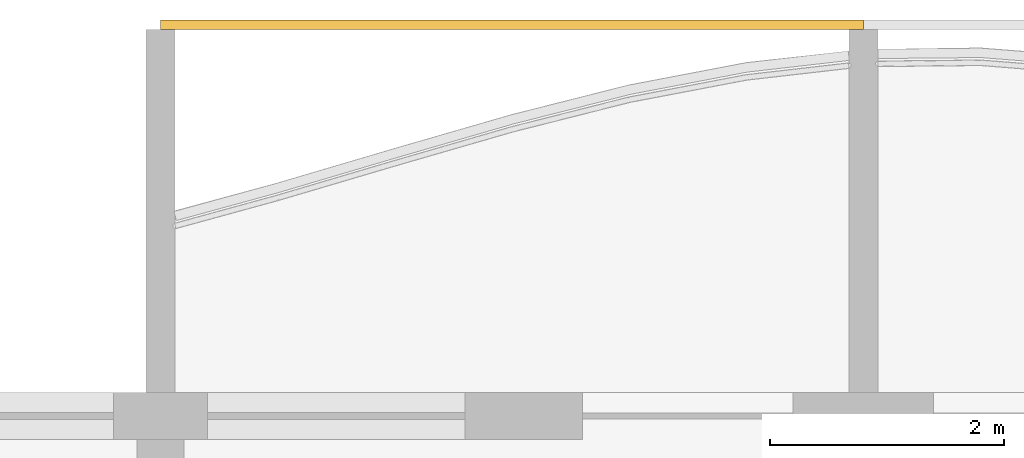
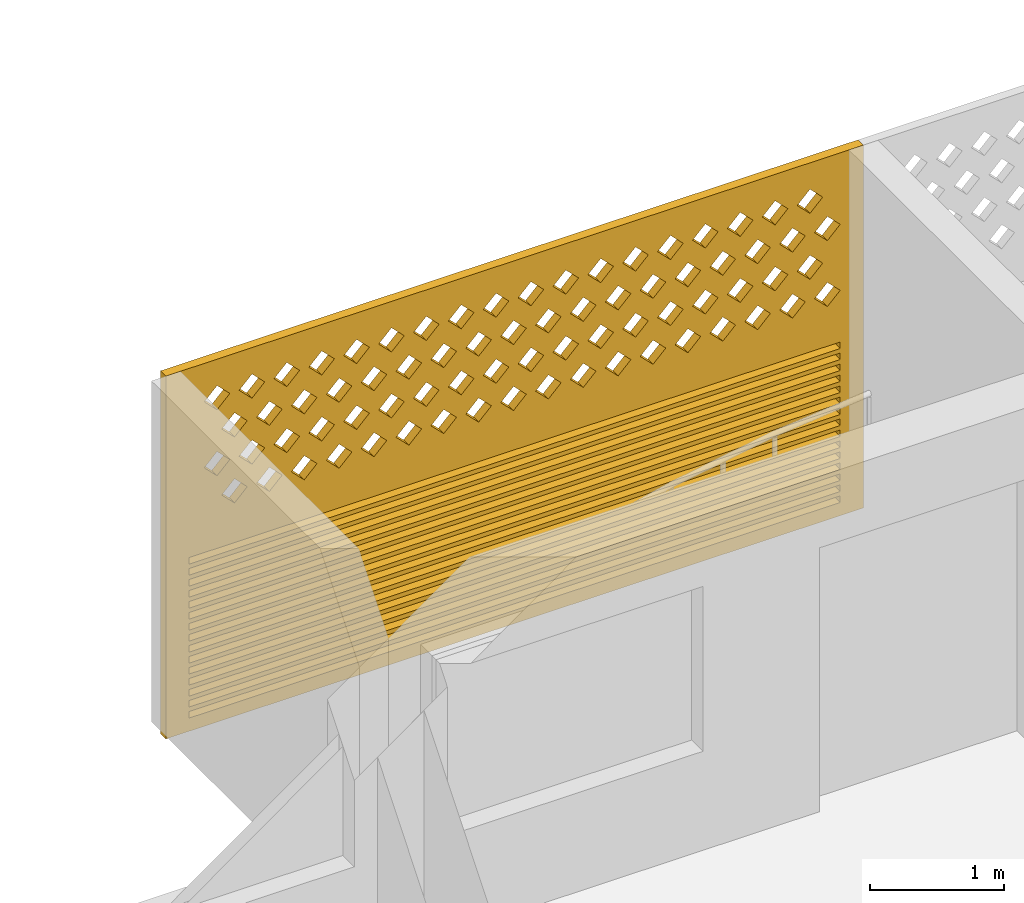
# One storey, part 30 of 39: 1 covering.
"""IFC4 building model written with IfcOpenShell, lengths in metres."""

from ifc_helpers import new_model, si_unit, direction, frame, origin, place, context, subcontext, project, spatial, polyline, outline, extrude, source, transform, mapped, material, material_profile, profile_set, type_object, element, save


model = new_model("IFC4")

# Units and contexts
model_context = context("Model", 3, precision=1e-05, world=origin(), true_north=direction((0.0, 1.0)))
body_context = subcontext(model_context, "Body", "Model", "MODEL_VIEW")
ifc_project = project(units=[si_unit("LENGTHUNIT", "METRE"), si_unit("AREAUNIT", "SQUARE_METRE"), si_unit("VOLUMEUNIT", "CUBIC_METRE"), si_unit("PLANEANGLEUNIT", "RADIAN"), si_unit("MASSUNIT", "GRAM", prefix="KILO")], contexts=[model_context])

# Site, building, storey
site_placement = place(None, origin())
site = spatial("IfcSite", under=ifc_project, at=site_placement, CompositionType="ELEMENT")
building_placement = place(site_placement, origin())
building = spatial("IfcBuilding", under=site, at=building_placement, Name="Poui Terraces", CompositionType="ELEMENT")
storey_placement = place(building_placement, frame((0.0, 0.0, 59.699951171875)))
storey = spatial("IfcBuildingStorey", under=building, at=storey_placement, Name="L16", CompositionType="ELEMENT", Elevation=59.699951171875)

# Covering
ifc_material = material(Name="Terracotta screen", Category="masonry")
ifc_material_profile = material_profile(ifc_material, outline(polyline([(-3.0, -1.64990234375), (3.0, -1.64990234375), (3.0, 1.64990234375), (-3.0, 1.64990234375), (-3.0, -1.64990234375)]), holes=[polyline([(-2.800048828125, 0.39990234375), (-2.68994140625, 0.2900390625), (-2.580078125, 0.39990234375), (-2.68994140625, 0.510009765625), (-2.800048828125, 0.39990234375)]), polyline([(-2.5, 0.39990234375), (-2.389892578125, 0.2900390625), (-2.280029296875, 0.39990234375), (-2.389892578125, 0.510009765625), (-2.5, 0.39990234375)]), polyline([(-2.199951171875, 0.39990234375), (-2.090087890625, 0.2900390625), (-1.97998046875, 0.39990234375), (-2.090087890625, 0.510009765625), (-2.199951171875, 0.39990234375)]), polyline([(-1.89990234375, 0.39990234375), (-1.7900390625, 0.2900390625), (-1.679931640625, 0.39990234375), (-1.7900390625, 0.510009765625), (-1.89990234375, 0.39990234375)]), polyline([(-1.60009765625, 0.39990234375), (-1.489990234375, 0.2900390625), (-1.3798828125, 0.39990234375), (-1.489990234375, 0.510009765625), (-1.60009765625, 0.39990234375)]), polyline([(-1.300048828125, 0.39990234375), (-1.18994140625, 0.2900390625), (-1.080078125, 0.39990234375), (-1.18994140625, 0.510009765625), (-1.300048828125, 0.39990234375)]), polyline([(-1.0, 0.39990234375), (-0.889892578125, 0.2900390625), (-0.780029296875, 0.39990234375), (-0.889892578125, 0.510009765625), (-1.0, 0.39990234375)]), polyline([(-0.699951171875, 0.39990234375), (-0.590087890625, 0.2900390625), (-0.47998046875, 0.39990234375), (-0.590087890625, 0.510009765625), (-0.699951171875, 0.39990234375)]), polyline([(-0.39990234375, 0.39990234375), (-0.2900390625, 0.2900390625), (-0.179931640625, 0.39990234375), (-0.2900390625, 0.510009765625), (-0.39990234375, 0.39990234375)]), polyline([(-0.10009765625, 0.39990234375), (0.010009765625, 0.2900390625), (0.1201171875, 0.39990234375), (0.010009765625, 0.510009765625), (-0.10009765625, 0.39990234375)]), polyline([(0.199951171875, 0.39990234375), (0.31005859375, 0.2900390625), (0.419921875, 0.39990234375), (0.31005859375, 0.510009765625), (0.199951171875, 0.39990234375)]), polyline([(0.5, 0.39990234375), (0.610107421875, 0.2900390625), (0.719970703125, 0.39990234375), (0.610107421875, 0.510009765625), (0.5, 0.39990234375)]), polyline([(0.800048828125, 0.39990234375), (0.909912109375, 0.2900390625), (1.02001953125, 0.39990234375), (0.909912109375, 0.510009765625), (0.800048828125, 0.39990234375)]), polyline([(1.10009765625, 0.39990234375), (1.2099609375, 0.2900390625), (1.320068359375, 0.39990234375), (1.2099609375, 0.510009765625), (1.10009765625, 0.39990234375)]), polyline([(1.39990234375, 0.39990234375), (1.510009765625, 0.2900390625), (1.6201171875, 0.39990234375), (1.510009765625, 0.510009765625), (1.39990234375, 0.39990234375)]), polyline([(1.699951171875, 0.39990234375), (1.81005859375, 0.2900390625), (1.919921875, 0.39990234375), (1.81005859375, 0.510009765625), (1.699951171875, 0.39990234375)]), polyline([(2.0, 0.39990234375), (2.110107421875, 0.2900390625), (2.219970703125, 0.39990234375), (2.110107421875, 0.510009765625), (2.0, 0.39990234375)]), polyline([(2.300048828125, 0.39990234375), (2.409912109375, 0.2900390625), (2.52001953125, 0.39990234375), (2.409912109375, 0.510009765625), (2.300048828125, 0.39990234375)]), polyline([(-2.64990234375, 0.699951171875), (-2.5400390625, 0.590087890625), (-2.429931640625, 0.699951171875), (-2.5400390625, 0.81005859375), (-2.64990234375, 0.699951171875)]), polyline([(-2.35009765625, 0.699951171875), (-2.239990234375, 0.590087890625), (-2.1298828125, 0.699951171875), (-2.239990234375, 0.81005859375), (-2.35009765625, 0.699951171875)]), polyline([(-2.050048828125, 0.699951171875), (-1.93994140625, 0.590087890625), (-1.830078125, 0.699951171875), (-1.93994140625, 0.81005859375), (-2.050048828125, 0.699951171875)]), polyline([(-1.75, 0.699951171875), (-1.639892578125, 0.590087890625), (-1.530029296875, 0.699951171875), (-1.639892578125, 0.81005859375), (-1.75, 0.699951171875)]), polyline([(-1.449951171875, 0.699951171875), (-1.340087890625, 0.590087890625), (-1.22998046875, 0.699951171875), (-1.340087890625, 0.81005859375), (-1.449951171875, 0.699951171875)]), polyline([(-1.14990234375, 0.699951171875), (-1.0400390625, 0.590087890625), (-0.929931640625, 0.699951171875), (-1.0400390625, 0.81005859375), (-1.14990234375, 0.699951171875)]), polyline([(-0.85009765625, 0.699951171875), (-0.739990234375, 0.590087890625), (-0.6298828125, 0.699951171875), (-0.739990234375, 0.81005859375), (-0.85009765625, 0.699951171875)]), polyline([(-0.550048828125, 0.699951171875), (-0.43994140625, 0.590087890625), (-0.330078125, 0.699951171875), (-0.43994140625, 0.81005859375), (-0.550048828125, 0.699951171875)]), polyline([(-0.25, 0.699951171875), (-0.139892578125, 0.590087890625), (-0.030029296875, 0.699951171875), (-0.139892578125, 0.81005859375), (-0.25, 0.699951171875)]), polyline([(0.050048828125, 0.699951171875), (0.159912109375, 0.590087890625), (0.27001953125, 0.699951171875), (0.159912109375, 0.81005859375), (0.050048828125, 0.699951171875)]), polyline([(0.35009765625, 0.699951171875), (0.4599609375, 0.590087890625), (0.570068359375, 0.699951171875), (0.4599609375, 0.81005859375), (0.35009765625, 0.699951171875)]), polyline([(0.64990234375, 0.699951171875), (0.760009765625, 0.590087890625), (0.8701171875, 0.699951171875), (0.760009765625, 0.81005859375), (0.64990234375, 0.699951171875)]), polyline([(0.949951171875, 0.699951171875), (1.06005859375, 0.590087890625), (1.169921875, 0.699951171875), (1.06005859375, 0.81005859375), (0.949951171875, 0.699951171875)]), polyline([(1.25, 0.699951171875), (1.360107421875, 0.590087890625), (1.469970703125, 0.699951171875), (1.360107421875, 0.81005859375), (1.25, 0.699951171875)]), polyline([(1.550048828125, 0.699951171875), (1.659912109375, 0.590087890625), (1.77001953125, 0.699951171875), (1.659912109375, 0.81005859375), (1.550048828125, 0.699951171875)]), polyline([(1.85009765625, 0.699951171875), (1.9599609375, 0.590087890625), (2.070068359375, 0.699951171875), (1.9599609375, 0.81005859375), (1.85009765625, 0.699951171875)]), polyline([(2.14990234375, 0.699951171875), (2.260009765625, 0.590087890625), (2.3701171875, 0.699951171875), (2.260009765625, 0.81005859375), (2.14990234375, 0.699951171875)]), polyline([(2.449951171875, 0.699951171875), (2.56005859375, 0.590087890625), (2.669921875, 0.699951171875), (2.56005859375, 0.81005859375), (2.449951171875, 0.699951171875)]), polyline([(-2.800048828125, 1.0), (-2.68994140625, 0.889892578125), (-2.580078125, 1.0), (-2.68994140625, 1.110107421875), (-2.800048828125, 1.0)]), polyline([(-2.5, 1.0), (-2.389892578125, 0.889892578125), (-2.280029296875, 1.0), (-2.389892578125, 1.110107421875), (-2.5, 1.0)]), polyline([(-2.199951171875, 1.0), (-2.090087890625, 0.889892578125), (-1.97998046875, 1.0), (-2.090087890625, 1.110107421875), (-2.199951171875, 1.0)]), polyline([(-1.89990234375, 1.0), (-1.7900390625, 0.889892578125), (-1.679931640625, 1.0), (-1.7900390625, 1.110107421875), (-1.89990234375, 1.0)]), polyline([(-1.60009765625, 1.0), (-1.489990234375, 0.889892578125), (-1.3798828125, 1.0), (-1.489990234375, 1.110107421875), (-1.60009765625, 1.0)]), polyline([(-1.300048828125, 1.0), (-1.18994140625, 0.889892578125), (-1.080078125, 1.0), (-1.18994140625, 1.110107421875), (-1.300048828125, 1.0)]), polyline([(-1.0, 1.0), (-0.889892578125, 0.889892578125), (-0.780029296875, 1.0), (-0.889892578125, 1.110107421875), (-1.0, 1.0)]), polyline([(-0.699951171875, 1.0), (-0.590087890625, 0.889892578125), (-0.47998046875, 1.0), (-0.590087890625, 1.110107421875), (-0.699951171875, 1.0)]), polyline([(-0.39990234375, 1.0), (-0.2900390625, 0.889892578125), (-0.179931640625, 1.0), (-0.2900390625, 1.110107421875), (-0.39990234375, 1.0)]), polyline([(-0.10009765625, 1.0), (0.010009765625, 0.889892578125), (0.1201171875, 1.0), (0.010009765625, 1.110107421875), (-0.10009765625, 1.0)]), polyline([(0.199951171875, 1.0), (0.31005859375, 0.889892578125), (0.419921875, 1.0), (0.31005859375, 1.110107421875), (0.199951171875, 1.0)]), polyline([(0.5, 1.0), (0.610107421875, 0.889892578125), (0.719970703125, 1.0), (0.610107421875, 1.110107421875), (0.5, 1.0)]), polyline([(0.800048828125, 1.0), (0.909912109375, 0.889892578125), (1.02001953125, 1.0), (0.909912109375, 1.110107421875), (0.800048828125, 1.0)]), polyline([(1.10009765625, 1.0), (1.2099609375, 0.889892578125), (1.320068359375, 1.0), (1.2099609375, 1.110107421875), (1.10009765625, 1.0)]), polyline([(1.39990234375, 1.0), (1.510009765625, 0.889892578125), (1.6201171875, 1.0), (1.510009765625, 1.110107421875), (1.39990234375, 1.0)]), polyline([(1.699951171875, 1.0), (1.81005859375, 0.889892578125), (1.919921875, 1.0), (1.81005859375, 1.110107421875), (1.699951171875, 1.0)]), polyline([(2.0, 1.0), (2.110107421875, 0.889892578125), (2.219970703125, 1.0), (2.110107421875, 1.110107421875), (2.0, 1.0)]), polyline([(2.300048828125, 1.0), (2.409912109375, 0.889892578125), (2.52001953125, 1.0), (2.409912109375, 1.110107421875), (2.300048828125, 1.0)]), polyline([(-2.64990234375, 1.300048828125), (-2.5400390625, 1.18994140625), (-2.429931640625, 1.300048828125), (-2.5400390625, 1.409912109375), (-2.64990234375, 1.300048828125)]), polyline([(-2.35009765625, 1.300048828125), (-2.239990234375, 1.18994140625), (-2.1298828125, 1.300048828125), (-2.239990234375, 1.409912109375), (-2.35009765625, 1.300048828125)]), polyline([(-2.050048828125, 1.300048828125), (-1.93994140625, 1.18994140625), (-1.830078125, 1.300048828125), (-1.93994140625, 1.409912109375), (-2.050048828125, 1.300048828125)]), polyline([(-1.75, 1.300048828125), (-1.639892578125, 1.18994140625), (-1.530029296875, 1.300048828125), (-1.639892578125, 1.409912109375), (-1.75, 1.300048828125)]), polyline([(-1.449951171875, 1.300048828125), (-1.340087890625, 1.18994140625), (-1.22998046875, 1.300048828125), (-1.340087890625, 1.409912109375), (-1.449951171875, 1.300048828125)]), polyline([(-1.14990234375, 1.300048828125), (-1.0400390625, 1.18994140625), (-0.929931640625, 1.300048828125), (-1.0400390625, 1.409912109375), (-1.14990234375, 1.300048828125)]), polyline([(-0.85009765625, 1.300048828125), (-0.739990234375, 1.18994140625), (-0.6298828125, 1.300048828125), (-0.739990234375, 1.409912109375), (-0.85009765625, 1.300048828125)]), polyline([(-0.550048828125, 1.300048828125), (-0.43994140625, 1.18994140625), (-0.330078125, 1.300048828125), (-0.43994140625, 1.409912109375), (-0.550048828125, 1.300048828125)]), polyline([(-0.25, 1.300048828125), (-0.139892578125, 1.18994140625), (-0.030029296875, 1.300048828125), (-0.139892578125, 1.409912109375), (-0.25, 1.300048828125)]), polyline([(0.050048828125, 1.300048828125), (0.159912109375, 1.18994140625), (0.27001953125, 1.300048828125), (0.159912109375, 1.409912109375), (0.050048828125, 1.300048828125)]), polyline([(0.35009765625, 1.300048828125), (0.4599609375, 1.18994140625), (0.570068359375, 1.300048828125), (0.4599609375, 1.409912109375), (0.35009765625, 1.300048828125)]), polyline([(0.64990234375, 1.300048828125), (0.760009765625, 1.18994140625), (0.8701171875, 1.300048828125), (0.760009765625, 1.409912109375), (0.64990234375, 1.300048828125)]), polyline([(0.949951171875, 1.300048828125), (1.06005859375, 1.18994140625), (1.169921875, 1.300048828125), (1.06005859375, 1.409912109375), (0.949951171875, 1.300048828125)]), polyline([(1.25, 1.300048828125), (1.360107421875, 1.18994140625), (1.469970703125, 1.300048828125), (1.360107421875, 1.409912109375), (1.25, 1.300048828125)]), polyline([(1.550048828125, 1.300048828125), (1.659912109375, 1.18994140625), (1.77001953125, 1.300048828125), (1.659912109375, 1.409912109375), (1.550048828125, 1.300048828125)]), polyline([(1.85009765625, 1.300048828125), (1.9599609375, 1.18994140625), (2.070068359375, 1.300048828125), (1.9599609375, 1.409912109375), (1.85009765625, 1.300048828125)]), polyline([(2.14990234375, 1.300048828125), (2.260009765625, 1.18994140625), (2.3701171875, 1.300048828125), (2.260009765625, 1.409912109375), (2.14990234375, 1.300048828125)]), polyline([(2.449951171875, 1.300048828125), (2.56005859375, 1.18994140625), (2.669921875, 1.300048828125), (2.56005859375, 1.409912109375), (2.449951171875, 1.300048828125)]), polyline([(-2.800048828125, -1.530029296875), (2.800048828125, -1.530029296875), (2.800048828125, -1.469970703125), (-2.800048828125, -1.469970703125), (-2.800048828125, -1.530029296875)]), polyline([(-2.800048828125, -1.429931640625), (2.800048828125, -1.429931640625), (2.800048828125, -1.3701171875), (-2.800048828125, -1.3701171875), (-2.800048828125, -1.429931640625)]), polyline([(-2.800048828125, -1.330078125), (2.800048828125, -1.330078125), (2.800048828125, -1.27001953125), (-2.800048828125, -1.27001953125), (-2.800048828125, -1.330078125)]), polyline([(-2.800048828125, -1.22998046875), (2.800048828125, -1.22998046875), (2.800048828125, -1.169921875), (-2.800048828125, -1.169921875), (-2.800048828125, -1.22998046875)]), polyline([(-2.800048828125, -1.1298828125), (2.800048828125, -1.1298828125), (2.800048828125, -1.070068359375), (-2.800048828125, -1.070068359375), (-2.800048828125, -1.1298828125)]), polyline([(-2.800048828125, -1.030029296875), (2.800048828125, -1.030029296875), (2.800048828125, -0.969970703125), (-2.800048828125, -0.969970703125), (-2.800048828125, -1.030029296875)]), polyline([(-2.800048828125, -0.929931640625), (2.800048828125, -0.929931640625), (2.800048828125, -0.8701171875), (-2.800048828125, -0.8701171875), (-2.800048828125, -0.929931640625)]), polyline([(-2.800048828125, -0.830078125), (2.800048828125, -0.830078125), (2.800048828125, -0.77001953125), (-2.800048828125, -0.77001953125), (-2.800048828125, -0.830078125)]), polyline([(-2.800048828125, -0.72998046875), (2.800048828125, -0.72998046875), (2.800048828125, -0.669921875), (-2.800048828125, -0.669921875), (-2.800048828125, -0.72998046875)]), polyline([(-2.800048828125, -0.6298828125), (2.800048828125, -0.6298828125), (2.800048828125, -0.570068359375), (-2.800048828125, -0.570068359375), (-2.800048828125, -0.6298828125)]), polyline([(-2.800048828125, -0.530029296875), (2.800048828125, -0.530029296875), (2.800048828125, -0.469970703125), (-2.800048828125, -0.469970703125), (-2.800048828125, -0.530029296875)]), polyline([(-2.800048828125, -0.429931640625), (2.800048828125, -0.429931640625), (2.800048828125, -0.3701171875), (-2.800048828125, -0.3701171875), (-2.800048828125, -0.429931640625)]), polyline([(-2.800048828125, -0.330078125), (2.800048828125, -0.330078125), (2.800048828125, -0.27001953125), (-2.800048828125, -0.27001953125), (-2.800048828125, -0.330078125)]), polyline([(-2.800048828125, -0.22998046875), (2.800048828125, -0.22998046875), (2.800048828125, -0.169921875), (-2.800048828125, -0.169921875), (-2.800048828125, -0.22998046875)]), polyline([(-2.800048828125, -0.1298828125), (2.800048828125, -0.1298828125), (2.800048828125, -0.070068359375), (-2.800048828125, -0.070068359375), (-2.800048828125, -0.1298828125)])]), Name="TERRACOTTA SCREEN AND JALOUSIE LOUVRE 6000X3300")
ifc_profile_set = profile_set([ifc_material_profile], Name="Terracotta screen")
covering_type = type_object("IfcCoveringType", Name="TERRACOTTA SCREEN AND JALOUSIE LOUVRE 6000X3300", PredefinedType="CLADDING", material=ifc_profile_set)
shared_shape = source(origin(), body_context, "Body", "SweptSolid", [
    extrude(outline(polyline([(-3.0, -1.64990234375), (3.0, -1.64990234375), (3.0, 1.64990234375), (-3.0, 1.64990234375), (-3.0, -1.64990234375)]), holes=[polyline([(-2.800048828125, 0.39990234375), (-2.68994140625, 0.2900390625), (-2.580078125, 0.39990234375), (-2.68994140625, 0.510009765625), (-2.800048828125, 0.39990234375)]), polyline([(-2.5, 0.39990234375), (-2.389892578125, 0.2900390625), (-2.280029296875, 0.39990234375), (-2.389892578125, 0.510009765625), (-2.5, 0.39990234375)]), polyline([(-2.199951171875, 0.39990234375), (-2.090087890625, 0.2900390625), (-1.97998046875, 0.39990234375), (-2.090087890625, 0.510009765625), (-2.199951171875, 0.39990234375)]), polyline([(-1.89990234375, 0.39990234375), (-1.7900390625, 0.2900390625), (-1.679931640625, 0.39990234375), (-1.7900390625, 0.510009765625), (-1.89990234375, 0.39990234375)]), polyline([(-1.60009765625, 0.39990234375), (-1.489990234375, 0.2900390625), (-1.3798828125, 0.39990234375), (-1.489990234375, 0.510009765625), (-1.60009765625, 0.39990234375)]), polyline([(-1.300048828125, 0.39990234375), (-1.18994140625, 0.2900390625), (-1.080078125, 0.39990234375), (-1.18994140625, 0.510009765625), (-1.300048828125, 0.39990234375)]), polyline([(-1.0, 0.39990234375), (-0.889892578125, 0.2900390625), (-0.780029296875, 0.39990234375), (-0.889892578125, 0.510009765625), (-1.0, 0.39990234375)]), polyline([(-0.699951171875, 0.39990234375), (-0.590087890625, 0.2900390625), (-0.47998046875, 0.39990234375), (-0.590087890625, 0.510009765625), (-0.699951171875, 0.39990234375)]), polyline([(-0.39990234375, 0.39990234375), (-0.2900390625, 0.2900390625), (-0.179931640625, 0.39990234375), (-0.2900390625, 0.510009765625), (-0.39990234375, 0.39990234375)]), polyline([(-0.10009765625, 0.39990234375), (0.010009765625, 0.2900390625), (0.1201171875, 0.39990234375), (0.010009765625, 0.510009765625), (-0.10009765625, 0.39990234375)]), polyline([(0.199951171875, 0.39990234375), (0.31005859375, 0.2900390625), (0.419921875, 0.39990234375), (0.31005859375, 0.510009765625), (0.199951171875, 0.39990234375)]), polyline([(0.5, 0.39990234375), (0.610107421875, 0.2900390625), (0.719970703125, 0.39990234375), (0.610107421875, 0.510009765625), (0.5, 0.39990234375)]), polyline([(0.800048828125, 0.39990234375), (0.909912109375, 0.2900390625), (1.02001953125, 0.39990234375), (0.909912109375, 0.510009765625), (0.800048828125, 0.39990234375)]), polyline([(1.10009765625, 0.39990234375), (1.2099609375, 0.2900390625), (1.320068359375, 0.39990234375), (1.2099609375, 0.510009765625), (1.10009765625, 0.39990234375)]), polyline([(1.39990234375, 0.39990234375), (1.510009765625, 0.2900390625), (1.6201171875, 0.39990234375), (1.510009765625, 0.510009765625), (1.39990234375, 0.39990234375)]), polyline([(1.699951171875, 0.39990234375), (1.81005859375, 0.2900390625), (1.919921875, 0.39990234375), (1.81005859375, 0.510009765625), (1.699951171875, 0.39990234375)]), polyline([(2.0, 0.39990234375), (2.110107421875, 0.2900390625), (2.219970703125, 0.39990234375), (2.110107421875, 0.510009765625), (2.0, 0.39990234375)]), polyline([(2.300048828125, 0.39990234375), (2.409912109375, 0.2900390625), (2.52001953125, 0.39990234375), (2.409912109375, 0.510009765625), (2.300048828125, 0.39990234375)]), polyline([(-2.64990234375, 0.699951171875), (-2.5400390625, 0.590087890625), (-2.429931640625, 0.699951171875), (-2.5400390625, 0.81005859375), (-2.64990234375, 0.699951171875)]), polyline([(-2.35009765625, 0.699951171875), (-2.239990234375, 0.590087890625), (-2.1298828125, 0.699951171875), (-2.239990234375, 0.81005859375), (-2.35009765625, 0.699951171875)]), polyline([(-2.050048828125, 0.699951171875), (-1.93994140625, 0.590087890625), (-1.830078125, 0.699951171875), (-1.93994140625, 0.81005859375), (-2.050048828125, 0.699951171875)]), polyline([(-1.75, 0.699951171875), (-1.639892578125, 0.590087890625), (-1.530029296875, 0.699951171875), (-1.639892578125, 0.81005859375), (-1.75, 0.699951171875)]), polyline([(-1.449951171875, 0.699951171875), (-1.340087890625, 0.590087890625), (-1.22998046875, 0.699951171875), (-1.340087890625, 0.81005859375), (-1.449951171875, 0.699951171875)]), polyline([(-1.14990234375, 0.699951171875), (-1.0400390625, 0.590087890625), (-0.929931640625, 0.699951171875), (-1.0400390625, 0.81005859375), (-1.14990234375, 0.699951171875)]), polyline([(-0.85009765625, 0.699951171875), (-0.739990234375, 0.590087890625), (-0.6298828125, 0.699951171875), (-0.739990234375, 0.81005859375), (-0.85009765625, 0.699951171875)]), polyline([(-0.550048828125, 0.699951171875), (-0.43994140625, 0.590087890625), (-0.330078125, 0.699951171875), (-0.43994140625, 0.81005859375), (-0.550048828125, 0.699951171875)]), polyline([(-0.25, 0.699951171875), (-0.139892578125, 0.590087890625), (-0.030029296875, 0.699951171875), (-0.139892578125, 0.81005859375), (-0.25, 0.699951171875)]), polyline([(0.050048828125, 0.699951171875), (0.159912109375, 0.590087890625), (0.27001953125, 0.699951171875), (0.159912109375, 0.81005859375), (0.050048828125, 0.699951171875)]), polyline([(0.35009765625, 0.699951171875), (0.4599609375, 0.590087890625), (0.570068359375, 0.699951171875), (0.4599609375, 0.81005859375), (0.35009765625, 0.699951171875)]), polyline([(0.64990234375, 0.699951171875), (0.760009765625, 0.590087890625), (0.8701171875, 0.699951171875), (0.760009765625, 0.81005859375), (0.64990234375, 0.699951171875)]), polyline([(0.949951171875, 0.699951171875), (1.06005859375, 0.590087890625), (1.169921875, 0.699951171875), (1.06005859375, 0.81005859375), (0.949951171875, 0.699951171875)]), polyline([(1.25, 0.699951171875), (1.360107421875, 0.590087890625), (1.469970703125, 0.699951171875), (1.360107421875, 0.81005859375), (1.25, 0.699951171875)]), polyline([(1.550048828125, 0.699951171875), (1.659912109375, 0.590087890625), (1.77001953125, 0.699951171875), (1.659912109375, 0.81005859375), (1.550048828125, 0.699951171875)]), polyline([(1.85009765625, 0.699951171875), (1.9599609375, 0.590087890625), (2.070068359375, 0.699951171875), (1.9599609375, 0.81005859375), (1.85009765625, 0.699951171875)]), polyline([(2.14990234375, 0.699951171875), (2.260009765625, 0.590087890625), (2.3701171875, 0.699951171875), (2.260009765625, 0.81005859375), (2.14990234375, 0.699951171875)]), polyline([(2.449951171875, 0.699951171875), (2.56005859375, 0.590087890625), (2.669921875, 0.699951171875), (2.56005859375, 0.81005859375), (2.449951171875, 0.699951171875)]), polyline([(-2.800048828125, 1.0), (-2.68994140625, 0.889892578125), (-2.580078125, 1.0), (-2.68994140625, 1.110107421875), (-2.800048828125, 1.0)]), polyline([(-2.5, 1.0), (-2.389892578125, 0.889892578125), (-2.280029296875, 1.0), (-2.389892578125, 1.110107421875), (-2.5, 1.0)]), polyline([(-2.199951171875, 1.0), (-2.090087890625, 0.889892578125), (-1.97998046875, 1.0), (-2.090087890625, 1.110107421875), (-2.199951171875, 1.0)]), polyline([(-1.89990234375, 1.0), (-1.7900390625, 0.889892578125), (-1.679931640625, 1.0), (-1.7900390625, 1.110107421875), (-1.89990234375, 1.0)]), polyline([(-1.60009765625, 1.0), (-1.489990234375, 0.889892578125), (-1.3798828125, 1.0), (-1.489990234375, 1.110107421875), (-1.60009765625, 1.0)]), polyline([(-1.300048828125, 1.0), (-1.18994140625, 0.889892578125), (-1.080078125, 1.0), (-1.18994140625, 1.110107421875), (-1.300048828125, 1.0)]), polyline([(-1.0, 1.0), (-0.889892578125, 0.889892578125), (-0.780029296875, 1.0), (-0.889892578125, 1.110107421875), (-1.0, 1.0)]), polyline([(-0.699951171875, 1.0), (-0.590087890625, 0.889892578125), (-0.47998046875, 1.0), (-0.590087890625, 1.110107421875), (-0.699951171875, 1.0)]), polyline([(-0.39990234375, 1.0), (-0.2900390625, 0.889892578125), (-0.179931640625, 1.0), (-0.2900390625, 1.110107421875), (-0.39990234375, 1.0)]), polyline([(-0.10009765625, 1.0), (0.010009765625, 0.889892578125), (0.1201171875, 1.0), (0.010009765625, 1.110107421875), (-0.10009765625, 1.0)]), polyline([(0.199951171875, 1.0), (0.31005859375, 0.889892578125), (0.419921875, 1.0), (0.31005859375, 1.110107421875), (0.199951171875, 1.0)]), polyline([(0.5, 1.0), (0.610107421875, 0.889892578125), (0.719970703125, 1.0), (0.610107421875, 1.110107421875), (0.5, 1.0)]), polyline([(0.800048828125, 1.0), (0.909912109375, 0.889892578125), (1.02001953125, 1.0), (0.909912109375, 1.110107421875), (0.800048828125, 1.0)]), polyline([(1.10009765625, 1.0), (1.2099609375, 0.889892578125), (1.320068359375, 1.0), (1.2099609375, 1.110107421875), (1.10009765625, 1.0)]), polyline([(1.39990234375, 1.0), (1.510009765625, 0.889892578125), (1.6201171875, 1.0), (1.510009765625, 1.110107421875), (1.39990234375, 1.0)]), polyline([(1.699951171875, 1.0), (1.81005859375, 0.889892578125), (1.919921875, 1.0), (1.81005859375, 1.110107421875), (1.699951171875, 1.0)]), polyline([(2.0, 1.0), (2.110107421875, 0.889892578125), (2.219970703125, 1.0), (2.110107421875, 1.110107421875), (2.0, 1.0)]), polyline([(2.300048828125, 1.0), (2.409912109375, 0.889892578125), (2.52001953125, 1.0), (2.409912109375, 1.110107421875), (2.300048828125, 1.0)]), polyline([(-2.64990234375, 1.300048828125), (-2.5400390625, 1.18994140625), (-2.429931640625, 1.300048828125), (-2.5400390625, 1.409912109375), (-2.64990234375, 1.300048828125)]), polyline([(-2.35009765625, 1.300048828125), (-2.239990234375, 1.18994140625), (-2.1298828125, 1.300048828125), (-2.239990234375, 1.409912109375), (-2.35009765625, 1.300048828125)]), polyline([(-2.050048828125, 1.300048828125), (-1.93994140625, 1.18994140625), (-1.830078125, 1.300048828125), (-1.93994140625, 1.409912109375), (-2.050048828125, 1.300048828125)]), polyline([(-1.75, 1.300048828125), (-1.639892578125, 1.18994140625), (-1.530029296875, 1.300048828125), (-1.639892578125, 1.409912109375), (-1.75, 1.300048828125)]), polyline([(-1.449951171875, 1.300048828125), (-1.340087890625, 1.18994140625), (-1.22998046875, 1.300048828125), (-1.340087890625, 1.409912109375), (-1.449951171875, 1.300048828125)]), polyline([(-1.14990234375, 1.300048828125), (-1.0400390625, 1.18994140625), (-0.929931640625, 1.300048828125), (-1.0400390625, 1.409912109375), (-1.14990234375, 1.300048828125)]), polyline([(-0.85009765625, 1.300048828125), (-0.739990234375, 1.18994140625), (-0.6298828125, 1.300048828125), (-0.739990234375, 1.409912109375), (-0.85009765625, 1.300048828125)]), polyline([(-0.550048828125, 1.300048828125), (-0.43994140625, 1.18994140625), (-0.330078125, 1.300048828125), (-0.43994140625, 1.409912109375), (-0.550048828125, 1.300048828125)]), polyline([(-0.25, 1.300048828125), (-0.139892578125, 1.18994140625), (-0.030029296875, 1.300048828125), (-0.139892578125, 1.409912109375), (-0.25, 1.300048828125)]), polyline([(0.050048828125, 1.300048828125), (0.159912109375, 1.18994140625), (0.27001953125, 1.300048828125), (0.159912109375, 1.409912109375), (0.050048828125, 1.300048828125)]), polyline([(0.35009765625, 1.300048828125), (0.4599609375, 1.18994140625), (0.570068359375, 1.300048828125), (0.4599609375, 1.409912109375), (0.35009765625, 1.300048828125)]), polyline([(0.64990234375, 1.300048828125), (0.760009765625, 1.18994140625), (0.8701171875, 1.300048828125), (0.760009765625, 1.409912109375), (0.64990234375, 1.300048828125)]), polyline([(0.949951171875, 1.300048828125), (1.06005859375, 1.18994140625), (1.169921875, 1.300048828125), (1.06005859375, 1.409912109375), (0.949951171875, 1.300048828125)]), polyline([(1.25, 1.300048828125), (1.360107421875, 1.18994140625), (1.469970703125, 1.300048828125), (1.360107421875, 1.409912109375), (1.25, 1.300048828125)]), polyline([(1.550048828125, 1.300048828125), (1.659912109375, 1.18994140625), (1.77001953125, 1.300048828125), (1.659912109375, 1.409912109375), (1.550048828125, 1.300048828125)]), polyline([(1.85009765625, 1.300048828125), (1.9599609375, 1.18994140625), (2.070068359375, 1.300048828125), (1.9599609375, 1.409912109375), (1.85009765625, 1.300048828125)]), polyline([(2.14990234375, 1.300048828125), (2.260009765625, 1.18994140625), (2.3701171875, 1.300048828125), (2.260009765625, 1.409912109375), (2.14990234375, 1.300048828125)]), polyline([(2.449951171875, 1.300048828125), (2.56005859375, 1.18994140625), (2.669921875, 1.300048828125), (2.56005859375, 1.409912109375), (2.449951171875, 1.300048828125)]), polyline([(-2.800048828125, -1.530029296875), (2.800048828125, -1.530029296875), (2.800048828125, -1.469970703125), (-2.800048828125, -1.469970703125), (-2.800048828125, -1.530029296875)]), polyline([(-2.800048828125, -1.429931640625), (2.800048828125, -1.429931640625), (2.800048828125, -1.3701171875), (-2.800048828125, -1.3701171875), (-2.800048828125, -1.429931640625)]), polyline([(-2.800048828125, -1.330078125), (2.800048828125, -1.330078125), (2.800048828125, -1.27001953125), (-2.800048828125, -1.27001953125), (-2.800048828125, -1.330078125)]), polyline([(-2.800048828125, -1.22998046875), (2.800048828125, -1.22998046875), (2.800048828125, -1.169921875), (-2.800048828125, -1.169921875), (-2.800048828125, -1.22998046875)]), polyline([(-2.800048828125, -1.1298828125), (2.800048828125, -1.1298828125), (2.800048828125, -1.070068359375), (-2.800048828125, -1.070068359375), (-2.800048828125, -1.1298828125)]), polyline([(-2.800048828125, -1.030029296875), (2.800048828125, -1.030029296875), (2.800048828125, -0.969970703125), (-2.800048828125, -0.969970703125), (-2.800048828125, -1.030029296875)]), polyline([(-2.800048828125, -0.929931640625), (2.800048828125, -0.929931640625), (2.800048828125, -0.8701171875), (-2.800048828125, -0.8701171875), (-2.800048828125, -0.929931640625)]), polyline([(-2.800048828125, -0.830078125), (2.800048828125, -0.830078125), (2.800048828125, -0.77001953125), (-2.800048828125, -0.77001953125), (-2.800048828125, -0.830078125)]), polyline([(-2.800048828125, -0.72998046875), (2.800048828125, -0.72998046875), (2.800048828125, -0.669921875), (-2.800048828125, -0.669921875), (-2.800048828125, -0.72998046875)]), polyline([(-2.800048828125, -0.6298828125), (2.800048828125, -0.6298828125), (2.800048828125, -0.570068359375), (-2.800048828125, -0.570068359375), (-2.800048828125, -0.6298828125)]), polyline([(-2.800048828125, -0.530029296875), (2.800048828125, -0.530029296875), (2.800048828125, -0.469970703125), (-2.800048828125, -0.469970703125), (-2.800048828125, -0.530029296875)]), polyline([(-2.800048828125, -0.429931640625), (2.800048828125, -0.429931640625), (2.800048828125, -0.3701171875), (-2.800048828125, -0.3701171875), (-2.800048828125, -0.429931640625)]), polyline([(-2.800048828125, -0.330078125), (2.800048828125, -0.330078125), (2.800048828125, -0.27001953125), (-2.800048828125, -0.27001953125), (-2.800048828125, -0.330078125)]), polyline([(-2.800048828125, -0.22998046875), (2.800048828125, -0.22998046875), (2.800048828125, -0.169921875), (-2.800048828125, -0.169921875), (-2.800048828125, -0.22998046875)]), polyline([(-2.800048828125, -0.1298828125), (2.800048828125, -0.1298828125), (2.800048828125, -0.070068359375), (-2.800048828125, -0.070068359375), (-2.800048828125, -0.1298828125)])]), origin(), (0.0, 0.0, 1.0), 0.079833984375),
])
covering_placement = place(storey_placement, frame((57.0, 48.10009765625, 1.449951171875), z_axis=(0.0, 1.0, 0.0), x_axis=(-1.0, 0.0, 0.0)))
element("IfcCovering", 1, at=covering_placement, inside=storey, type_object=covering_type, Name="SOLAR SCREEN AND JALOUSIE LOUVRE", PredefinedType="CLADDING", context=body_context, shape_type="MappedRepresentation", body=[
    mapped(shared_shape, transform((0.0, 0.0, 0.0))),
])

save(model, "model.ifc")
